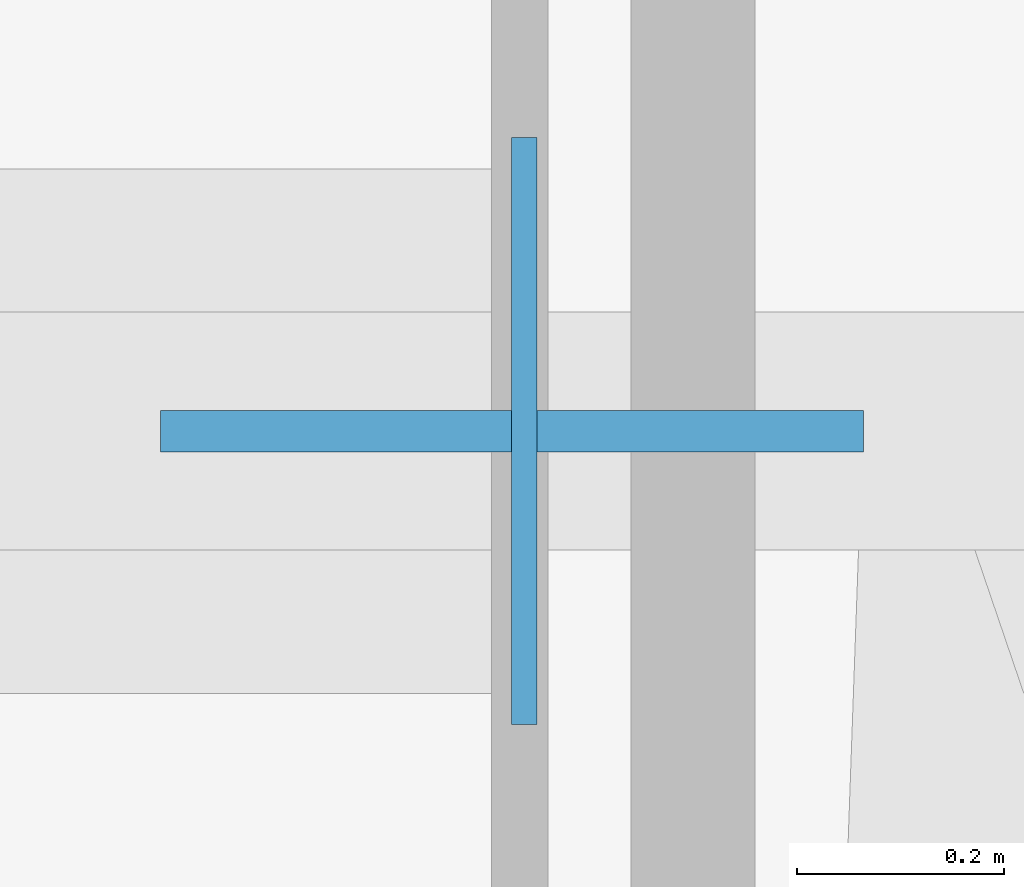
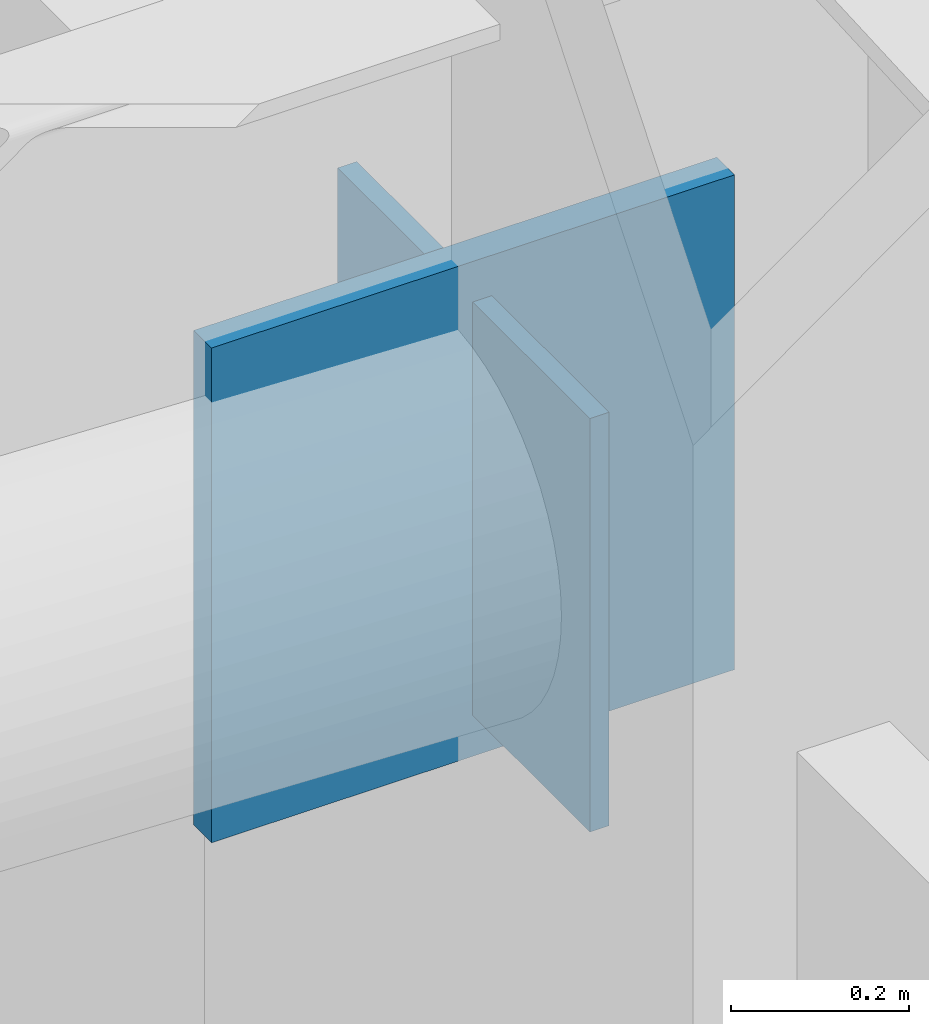
# One storey, part 5 of 13: 2 plates.
"""IFC4 building model written with IfcOpenShell, lengths in metres."""

from ifc_helpers import new_model, si_unit, direction, frame, origin, origin_2d, place, context, subcontext, project, spatial, rectangle, extrude, material, layer, layer_set, type_object, element, save


model = new_model("IFC4")

# Units and contexts
model_context = context("Model", 3, precision=1e-05, world=origin(), true_north=direction((0.0, 1.0)))
body_context = subcontext(model_context, "Body", "Model", "MODEL_VIEW")
ifc_project = project(units=[si_unit("LENGTHUNIT", "METRE"), si_unit("AREAUNIT", "SQUARE_METRE"), si_unit("VOLUMEUNIT", "CUBIC_METRE"), si_unit("PLANEANGLEUNIT", "RADIAN"), si_unit("MASSUNIT", "GRAM", prefix="KILO")], contexts=[model_context])

# Site, building, storey
site_placement = place(None, origin())
site = spatial("IfcSite", under=ifc_project, at=site_placement, CompositionType="ELEMENT")
building_placement = place(site_placement, origin())
building = spatial("IfcBuilding", under=site, at=building_placement, Name="Khamvora Tower", CompositionType="ELEMENT")
storey_placement = place(building_placement, frame((0.0, 0.0, 62.5)))
storey = spatial("IfcBuildingStorey", under=building, at=storey_placement, Name="L15", CompositionType="ELEMENT", Elevation=62.5)

# Plates
ifc_material_1 = material(Name="Steel S355", Category="steel")
ifc_layer_1 = layer(ifc_material_1, 0.02490234375)
ifc_layer_set_1 = layer_set([ifc_layer_1], Name="Steel S355")
plate_type_1 = type_object("IfcPlateType", Name="PL-CAP-25", PredefinedType="SHEET", material=ifc_layer_set_1)
plate_1_placement = place(storey_placement, frame((43.73193359375, 50.800048828125, 2.416015625), z_axis=(0.0, 0.0, 1.0), x_axis=(-1.0, 0.0, 0.0)))
element("IfcPlate", 1, at=plate_1_placement, inside=storey, type_object=plate_type_1, Name="L15 hollow section steel end cap plate 0590", PredefinedType="SHEET", context=body_context, shape_type="SweptSolid", body=[
    extrude(rectangle(XDim=0.02490234375, YDim=0.568115234375, at=origin_2d()), origin(), (0.0, 0.0, 1.0), 0.568115234375),
])
ifc_material_2 = material(Name="Steel S460", Category="steel")
ifc_layer_2 = layer(ifc_material_2, 0.0400390625)
ifc_layer_set_2 = layer_set([ifc_layer_2], Name="Steel S460")
plate_type_2 = type_object("IfcPlateType", Name="PLT-GUS-40", PredefinedType="SHEET", material=ifc_layer_set_2)
plate_2_placement = place(storey_placement, frame((43.719970703125, 50.800048828125, 2.35986328125), z_axis=(0.0, 0.0, 1.0), x_axis=(1.0, 0.0, 0.0)))
element("IfcPlate", 2, at=plate_2_placement, inside=storey, type_object=plate_type_2, Name="L15 brace connection node gusset plate 0107", PredefinedType="SHEET", context=body_context, shape_type="SweptSolid", body=[
    extrude(rectangle(XDim=0.679931640625, YDim=0.0400390625, at=origin_2d()), origin(), (0.0, 0.0, 1.0), 0.679931640625),
])

save(model, "model.ifc")
